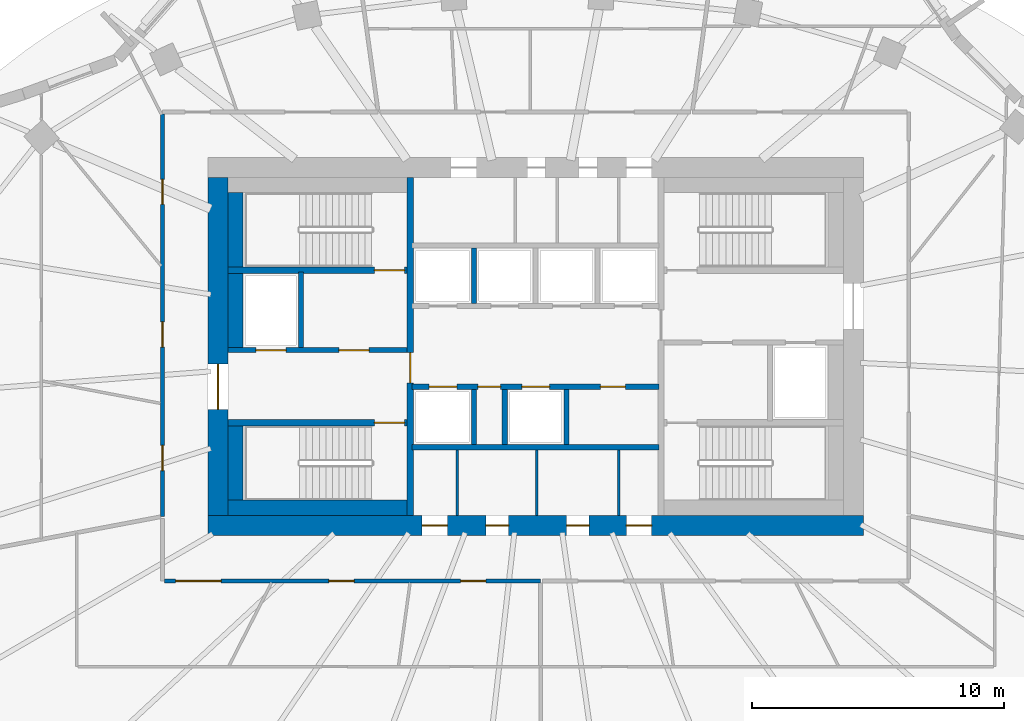
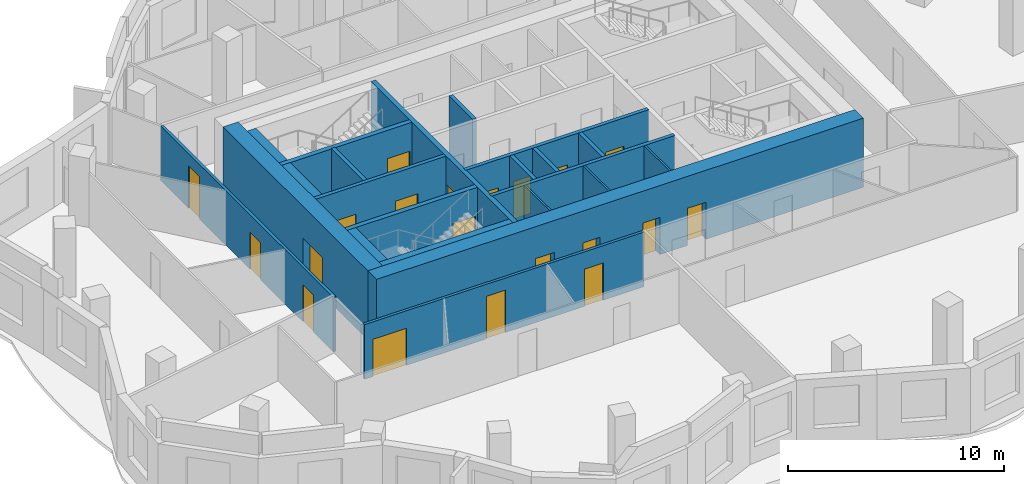
# One storey, part 4 of 9: 22 walls, 20 doors, 20 openings.
"""IFC4 building model written with IfcOpenShell, lengths in metres."""

from ifc_helpers import new_model, si_unit, direction, frame, frame_2d, origin, place, context, subcontext, project, spatial, rectangle, extrude, material, layer, layer_set, type_object, element, fill, save


model = new_model("IFC4")

# Units and contexts
model_context = context("Model", 3, precision=1e-05, world=origin(), true_north=direction((0.0, 1.0)))
body_context = subcontext(model_context, "Body", "Model", "MODEL_VIEW")
ifc_project = project(units=[si_unit("LENGTHUNIT", "METRE"), si_unit("AREAUNIT", "SQUARE_METRE"), si_unit("VOLUMEUNIT", "CUBIC_METRE"), si_unit("PLANEANGLEUNIT", "RADIAN"), si_unit("MASSUNIT", "GRAM", prefix="KILO")], contexts=[model_context])

# Site, building, storey
site_placement = place(None, origin())
site = spatial("IfcSite", under=ifc_project, at=site_placement, CompositionType="ELEMENT")
building_placement = place(site_placement, origin())
building = spatial("IfcBuilding", under=site, at=building_placement, Name="Rubra Terraces Tower", CompositionType="ELEMENT")
storey_placement = place(building_placement, frame((0.0, 0.0, 221.39990234375)))
storey = spatial("IfcBuildingStorey", under=building, at=storey_placement, Name="L54", CompositionType="ELEMENT", Elevation=221.39990234375)

# Wall, openings, doors
ifc_material_1 = material(Name="Concrete C50", Category="concrete")
ifc_layer_1 = layer(ifc_material_1, 0.800048828125)
ifc_layer_set_1 = layer_set([ifc_layer_1], Name="Concrete C50")
wall_type_1 = type_object("IfcWallType", Name="CORE WALL 800 C50", PredefinedType="SHEAR", material=ifc_layer_set_1)
wall_1_placement = place(storey_placement, frame((-13.0, -2.60009765625, 0.0), z_axis=(0.0, 0.0, 1.0), x_axis=(1.0, 0.0, 0.0)))
wall_1 = element("IfcWall", 1, at=wall_1_placement, inside=storey, type_object=wall_type_1, Name="CORE WALL S L54", PredefinedType="SHEAR", context=body_context, shape_type="SweptSolid", body=[
    extrude(rectangle(XDim=26.0, YDim=0.800048828125, at=frame_2d((13.0, 0.0))), origin(), (0.0, 0.0, 1.0), 3.900146484375),
])
opening_1_placement = place(wall_1_placement, frame((8.5, 0.0, 0.0)))
opening_1 = element("IfcOpeningElement", 2, at=opening_1_placement, cuts=wall_1, Name="Opening L54.C21", PredefinedType="OPENING", context=body_context, shape_type="SweptSolid", body=[
    extrude(rectangle(XDim=1.0, YDim=2.10009765625, at=frame_2d((0.5, 1.050048828125))), frame((0.0, 0.409912109375, 0.0), z_axis=(0.0, -1.0, 0.0), x_axis=(1.0, 0.0, 0.0)), (0.0, 0.0, 1.0), 0.820068359375),
])
opening_2_placement = place(wall_1_placement, frame((11.02490234375, 0.0, 0.0)))
opening_2 = element("IfcOpeningElement", 3, at=opening_2_placement, cuts=wall_1, Name="Opening L54.C22", PredefinedType="OPENING", context=body_context, shape_type="SweptSolid", body=[
    extrude(rectangle(XDim=0.89990234375, YDim=2.10009765625, at=frame_2d((0.449951171875, 1.050048828125))), frame((0.0, 0.409912109375, 0.0), z_axis=(0.0, -1.0, 0.0), x_axis=(1.0, 0.0, 0.0)), (0.0, 0.0, 1.0), 0.820068359375),
])
opening_3_placement = place(wall_1_placement, frame((14.22509765625, 0.0, 0.0)))
opening_3 = element("IfcOpeningElement", 4, at=opening_3_placement, cuts=wall_1, Name="Opening L54.C23", PredefinedType="OPENING", context=body_context, shape_type="SweptSolid", body=[
    extrude(rectangle(XDim=0.89990234375, YDim=2.10009765625, at=frame_2d((0.449951171875, 1.050048828125))), frame((0.0, 0.409912109375, 0.0), z_axis=(0.0, -1.0, 0.0), x_axis=(1.0, 0.0, 0.0)), (0.0, 0.0, 1.0), 0.820068359375),
])
opening_4_placement = place(wall_1_placement, frame((16.60009765625, 0.0, 0.0)))
opening_4 = element("IfcOpeningElement", 5, at=opening_4_placement, cuts=wall_1, Name="Opening L54.C24", PredefinedType="OPENING", context=body_context, shape_type="SweptSolid", body=[
    extrude(rectangle(XDim=1.0, YDim=2.10009765625, at=frame_2d((0.5, 1.050048828125))), frame((0.0, 0.409912109375, 0.0), z_axis=(0.0, -1.0, 0.0), x_axis=(1.0, 0.0, 0.0)), (0.0, 0.0, 1.0), 0.820068359375),
])
ifc_material_2 = material(Name="Painted steel", Category="steel")
door_type_1 = type_object("IfcDoorType", Name="Fire door 1000x2100 single", OperationType="NOTDEFINED", PredefinedType="DOOR", material=ifc_material_2)
door_1_placement = place(opening_1_placement, origin())
door_1 = element("IfcDoor", 6, at=door_1_placement, inside=storey, type_object=door_type_1, Name="Accessible WC door", OperationType="SINGLE_SWING_LEFT", OverallHeight=2.10009765625, OverallWidth=1.0, PredefinedType="DOOR", context=body_context, shape_type="SweptSolid", body=[
    extrude(rectangle(XDim=1.0, YDim=2.10009765625, at=frame_2d((0.5, 1.050048828125))), frame((0.0, 0.02490234375, 0.0), z_axis=(0.0, -1.0, 0.0), x_axis=(1.0, 0.0, 0.0)), (0.0, 0.0, 1.0), 0.050048828125),
])
fill(opening_1, door_1)
door_2_placement = place(opening_4_placement, origin())
door_2 = element("IfcDoor", 7, at=door_2_placement, inside=storey, type_object=door_type_1, Name="General store door", OperationType="SINGLE_SWING_RIGHT", OverallHeight=2.10009765625, OverallWidth=1.0, PredefinedType="DOOR", context=body_context, shape_type="SweptSolid", body=[
    extrude(rectangle(XDim=1.0, YDim=2.10009765625, at=frame_2d((0.5, 1.050048828125))), frame((0.0, 0.02490234375, 0.0), z_axis=(0.0, -1.0, 0.0), x_axis=(1.0, 0.0, 0.0)), (0.0, 0.0, 1.0), 0.050048828125),
])
fill(opening_4, door_2)
door_type_2 = type_object("IfcDoorType", Name="Fire door 900x2100 single", OperationType="NOTDEFINED", PredefinedType="DOOR", material=ifc_material_2)
door_3_placement = place(opening_2_placement, origin())
door_3 = element("IfcDoor", 8, at=door_3_placement, inside=storey, type_object=door_type_2, Name="Ladies WC door", OperationType="SINGLE_SWING_RIGHT", OverallHeight=2.10009765625, OverallWidth=0.89990234375, PredefinedType="DOOR", context=body_context, shape_type="SweptSolid", body=[
    extrude(rectangle(XDim=0.89990234375, YDim=2.10009765625, at=frame_2d((0.449951171875, 1.050048828125))), frame((0.0, 0.02490234375, 0.0), z_axis=(0.0, -1.0, 0.0), x_axis=(1.0, 0.0, 0.0)), (0.0, 0.0, 1.0), 0.050048828125),
])
fill(opening_2, door_3)
door_4_placement = place(opening_3_placement, origin())
door_4 = element("IfcDoor", 9, at=door_4_placement, inside=storey, type_object=door_type_2, Name="Gents WC door", OperationType="SINGLE_SWING_LEFT", OverallHeight=2.10009765625, OverallWidth=0.89990234375, PredefinedType="DOOR", context=body_context, shape_type="SweptSolid", body=[
    extrude(rectangle(XDim=0.89990234375, YDim=2.10009765625, at=frame_2d((0.449951171875, 1.050048828125))), frame((0.0, 0.02490234375, 0.0), z_axis=(0.0, -1.0, 0.0), x_axis=(1.0, 0.0, 0.0)), (0.0, 0.0, 1.0), 0.050048828125),
])
fill(opening_3, door_4)

# Wall, opening, door
wall_2_placement = place(storey_placement, frame((-12.60009765625, -2.199951171875, 0.0), z_axis=(0.0, 0.0, 1.0), x_axis=(0.0, 1.0, 0.0)))
wall_2 = element("IfcWall", 10, at=wall_2_placement, inside=storey, type_object=wall_type_1, Name="CORE WALL W L54", PredefinedType="SHEAR", context=body_context, shape_type="SweptSolid", body=[
    extrude(rectangle(XDim=13.39990234375, YDim=0.800048828125, at=frame_2d((6.699951171875, 0.0))), origin(), (0.0, 0.0, 1.0), 3.900146484375),
])
opening_5_placement = place(wall_2_placement, frame((4.199951171875, 0.0, 0.0)))
opening_5 = element("IfcOpeningElement", 11, at=opening_5_placement, cuts=wall_2, Name="Opening L54.C01", PredefinedType="OPENING", context=body_context, shape_type="SweptSolid", body=[
    extrude(rectangle(XDim=1.800048828125, YDim=2.10009765625, at=frame_2d((0.89990234375, 1.050048828125))), frame((0.0, 0.409912109375, 0.0), z_axis=(0.0, -1.0, 0.0), x_axis=(1.0, 0.0, 0.0)), (0.0, 0.0, 1.0), 0.820068359375),
])
door_type_3 = type_object("IfcDoorType", Name="Fire door 1800x2100 double", OperationType="NOTDEFINED", PredefinedType="DOOR", material=ifc_material_2)
door_5_placement = place(opening_5_placement, origin())
door_5 = element("IfcDoor", 12, at=door_5_placement, inside=storey, type_object=door_type_3, Name="Core entrance door FF1", OperationType="DOUBLE_DOOR_SINGLE_SWING", OverallHeight=2.10009765625, OverallWidth=1.800048828125, PredefinedType="DOOR", context=body_context, shape_type="SweptSolid", body=[
    extrude(rectangle(XDim=1.800048828125, YDim=2.10009765625, at=frame_2d((0.89990234375, 1.050048828125))), frame((0.0, 0.02490234375, 0.0), z_axis=(0.0, -1.0, 0.0), x_axis=(1.0, 0.0, 0.0)), (0.0, 0.0, 1.0), 0.050048828125),
])
fill(opening_5, door_5)

# Wall, openings, doors
ifc_material_3 = material(Name="Plasterboard on steel stud, mineral wool infill", Category="steel")
ifc_layer_2 = layer(ifc_material_3, 0.14990234375)
ifc_layer_set_2 = layer_set([ifc_layer_2], Name="Plasterboard on steel stud, mineral wool infill")
wall_type_2 = type_object("IfcWallType", Name="CORRIDOR PARTITION 150", PredefinedType="PARTITIONING", material=ifc_layer_set_2)
wall_3_placement = place(storey_placement, frame((-14.800048828125, 13.72509765625, 0.0), z_axis=(0.0, 0.0, 1.0), x_axis=(0.0, -1.0, 0.0)))
wall_3 = element("IfcWall", 13, at=wall_3_placement, inside=storey, type_object=wall_type_2, Name="PARTITION", PredefinedType="PARTITIONING", context=body_context, shape_type="SweptSolid", body=[
    extrude(rectangle(XDim=15.96826171875, YDim=0.14990234375, at=frame_2d((7.984130859375, 0.0))), origin(), (0.0, 0.0, 1.0), 3.083984375),
])
opening_6_placement = place(wall_3_placement, frame((2.595947265625, 0.0, 0.0)))
opening_6 = element("IfcOpeningElement", 14, at=opening_6_placement, cuts=wall_3, Name="Opening 54-103", PredefinedType="OPENING", context=body_context, shape_type="SweptSolid", body=[
    extrude(rectangle(XDim=1.0, YDim=2.39990234375, at=frame_2d((0.5, 1.199951171875))), frame((0.0, 0.0849609375, 0.0), z_axis=(0.0, -1.0, 0.0), x_axis=(1.0, 0.0, 0.0)), (0.0, 0.0, 1.0), 0.169921875),
])
opening_7_placement = place(wall_3_placement, frame((8.25, 0.0, 0.0)))
opening_7 = element("IfcOpeningElement", 15, at=opening_7_placement, cuts=wall_3, Name="Opening 54-122", PredefinedType="OPENING", context=body_context, shape_type="SweptSolid", body=[
    extrude(rectangle(XDim=1.0, YDim=2.10009765625, at=frame_2d((0.5, 1.050048828125))), frame((0.0, 0.0849609375, 0.0), z_axis=(0.0, -1.0, 0.0), x_axis=(1.0, 0.0, 0.0)), (0.0, 0.0, 1.0), 0.169921875),
])
opening_8_placement = place(wall_3_placement, frame((13.14990234375, 0.0, 0.0)))
opening_8 = element("IfcOpeningElement", 16, at=opening_8_placement, cuts=wall_3, Name="Opening 54-123", PredefinedType="OPENING", context=body_context, shape_type="SweptSolid", body=[
    extrude(rectangle(XDim=1.0, YDim=2.10009765625, at=frame_2d((0.5, 1.050048828125))), frame((0.0, 0.0849609375, 0.0), z_axis=(0.0, -1.0, 0.0), x_axis=(1.0, 0.0, 0.0)), (0.0, 0.0, 1.0), 0.169921875),
])
ifc_material_4 = material(Name="Glazed aluminium meeting door leaf", Category="aluminium")
door_type_4 = type_object("IfcDoorType", Name="MEETING ROOM GLAZED DOOR 1000 X 2400", OperationType="SINGLE_SWING_LEFT", PredefinedType="DOOR", material=ifc_material_4)
door_6_placement = place(opening_6_placement, origin())
door_6 = element("IfcDoor", 17, at=door_6_placement, inside=storey, type_object=door_type_4, Name="DOOR 54-103", OperationType="SINGLE_SWING_RIGHT", OverallHeight=2.39990234375, OverallWidth=1.0, PredefinedType="DOOR", context=body_context, shape_type="SweptSolid", body=[
    extrude(rectangle(XDim=1.0, YDim=2.39990234375, at=frame_2d((0.5, 1.199951171875))), frame((0.0, 0.02490234375, 0.0), z_axis=(0.0, -1.0, 0.0), x_axis=(1.0, 0.0, 0.0)), (0.0, 0.0, 1.0), 0.050048828125),
])
fill(opening_6, door_6)
ifc_material_5 = material(Name="Painted timber door leaf", Category="wood")
door_type_5 = type_object("IfcDoorType", Name="ROOM DOOR 1000 X 2100", OperationType="SINGLE_SWING_LEFT", PredefinedType="DOOR", material=ifc_material_5)
door_7_placement = place(opening_7_placement, origin())
door_7 = element("IfcDoor", 18, at=door_7_placement, inside=storey, type_object=door_type_5, Name="DOOR 54-122", OperationType="SINGLE_SWING_RIGHT", OverallHeight=2.10009765625, OverallWidth=1.0, PredefinedType="DOOR", context=body_context, shape_type="SweptSolid", body=[
    extrude(rectangle(XDim=1.0, YDim=2.10009765625, at=frame_2d((0.5, 1.050048828125))), frame((0.0, 0.02490234375, 0.0), z_axis=(0.0, -1.0, 0.0), x_axis=(1.0, 0.0, 0.0)), (0.0, 0.0, 1.0), 0.050048828125),
])
fill(opening_7, door_7)
door_8_placement = place(opening_8_placement, origin())
door_8 = element("IfcDoor", 19, at=door_8_placement, inside=storey, type_object=door_type_5, Name="DOOR 54-123", OperationType="SINGLE_SWING_RIGHT", OverallHeight=2.10009765625, OverallWidth=1.0, PredefinedType="DOOR", context=body_context, shape_type="SweptSolid", body=[
    extrude(rectangle(XDim=1.0, YDim=2.10009765625, at=frame_2d((0.5, 1.050048828125))), frame((0.0, 0.02490234375, 0.0), z_axis=(0.0, -1.0, 0.0), x_axis=(1.0, 0.0, 0.0)), (0.0, 0.0, 1.0), 0.050048828125),
])
fill(opening_8, door_8)

wall_4_placement = place(storey_placement, frame((-14.72509765625, -4.800048828125, 0.0), z_axis=(0.0, 0.0, 1.0), x_axis=(1.0, 0.0, 0.0)))
wall_4 = element("IfcWall", 20, at=wall_4_placement, inside=storey, type_object=wall_type_2, Name="PARTITION", PredefinedType="PARTITIONING", context=body_context, shape_type="SweptSolid", body=[
    extrude(rectangle(XDim=14.914794921875, YDim=0.14990234375, at=frame_2d((7.45751953125, 0.0))), origin(), (0.0, 0.0, 1.0), 3.083984375),
])
opening_9_placement = place(wall_4_placement, frame((0.449951171875, 0.0, 0.0)))
opening_9 = element("IfcOpeningElement", 21, at=opening_9_placement, cuts=wall_4, Name="Opening 54-106", PredefinedType="OPENING", context=body_context, shape_type="SweptSolid", body=[
    extrude(rectangle(XDim=1.800048828125, YDim=2.10009765625, at=frame_2d((0.89990234375, 1.050048828125))), frame((0.0, 0.0849609375, 0.0), z_axis=(0.0, -1.0, 0.0), x_axis=(1.0, 0.0, 0.0)), (0.0, 0.0, 1.0), 0.169921875),
])
opening_10_placement = place(wall_4_placement, frame((6.52197265625, 0.0, 0.0)))
opening_10 = element("IfcOpeningElement", 22, at=opening_10_placement, cuts=wall_4, Name="Opening 54-107", PredefinedType="OPENING", context=body_context, shape_type="SweptSolid", body=[
    extrude(rectangle(XDim=1.0, YDim=2.39990234375, at=frame_2d((0.5, 1.199951171875))), frame((0.0, 0.0849609375, 0.0), z_axis=(0.0, -1.0, 0.0), x_axis=(1.0, 0.0, 0.0)), (0.0, 0.0, 1.0), 0.169921875),
])
opening_11_placement = place(wall_4_placement, frame((11.75, 0.0, 0.0)))
opening_11 = element("IfcOpeningElement", 23, at=opening_11_placement, cuts=wall_4, Name="Opening 54-125", PredefinedType="OPENING", context=body_context, shape_type="SweptSolid", body=[
    extrude(rectangle(XDim=1.0, YDim=2.10009765625, at=frame_2d((0.5, 1.050048828125))), frame((0.0, 0.0849609375, 0.0), z_axis=(0.0, -1.0, 0.0), x_axis=(1.0, 0.0, 0.0)), (0.0, 0.0, 1.0), 0.169921875),
])
door_9_placement = place(opening_10_placement, origin())
door_9 = element("IfcDoor", 24, at=door_9_placement, inside=storey, type_object=door_type_4, Name="DOOR 54-107", OperationType="SINGLE_SWING_RIGHT", OverallHeight=2.39990234375, OverallWidth=1.0, PredefinedType="DOOR", context=body_context, shape_type="SweptSolid", body=[
    extrude(rectangle(XDim=1.0, YDim=2.39990234375, at=frame_2d((0.5, 1.199951171875))), frame((0.0, 0.02490234375, 0.0), z_axis=(0.0, -1.0, 0.0), x_axis=(1.0, 0.0, 0.0)), (0.0, 0.0, 1.0), 0.050048828125),
])
fill(opening_10, door_9)
door_10_placement = place(opening_11_placement, origin())
door_10 = element("IfcDoor", 25, at=door_10_placement, inside=storey, type_object=door_type_5, Name="DOOR 54-125", OperationType="SINGLE_SWING_RIGHT", OverallHeight=2.10009765625, OverallWidth=1.0, PredefinedType="DOOR", context=body_context, shape_type="SweptSolid", body=[
    extrude(rectangle(XDim=1.0, YDim=2.10009765625, at=frame_2d((0.5, 1.050048828125))), frame((0.0, 0.02490234375, 0.0), z_axis=(0.0, -1.0, 0.0), x_axis=(1.0, 0.0, 0.0)), (0.0, 0.0, 1.0), 0.050048828125),
])
fill(opening_11, door_10)
ifc_material_6 = material(Name="Painted timber door leaf, double", Category="wood")
door_type_6 = type_object("IfcDoorType", Name="ROOM DOUBLE DOOR 1800 X 2100", OperationType="DOUBLE_DOOR_SINGLE_SWING", PredefinedType="DOOR", material=ifc_material_6)
door_11_placement = place(opening_9_placement, origin())
door_11 = element("IfcDoor", 26, at=door_11_placement, inside=storey, type_object=door_type_6, Name="DOOR 54-106", OperationType="DOUBLE_DOOR_SINGLE_SWING", OverallHeight=2.10009765625, OverallWidth=1.800048828125, PredefinedType="DOOR", context=body_context, shape_type="SweptSolid", body=[
    extrude(rectangle(XDim=1.800048828125, YDim=2.10009765625, at=frame_2d((0.89990234375, 1.050048828125))), frame((0.0, 0.02490234375, 0.0), z_axis=(0.0, -1.0, 0.0), x_axis=(1.0, 0.0, 0.0)), (0.0, 0.0, 1.0), 0.050048828125),
])
fill(opening_9, door_11)

# Walls
ifc_material_7 = material(Name="Concrete C40", Category="concrete")
ifc_layer_3 = layer(ifc_material_7, 0.60009765625)
ifc_layer_set_3 = layer_set([ifc_layer_3], Name="Concrete C40")
wall_type_3 = type_object("IfcWallType", Name="Core lining wall 600 concrete", PredefinedType="SOLIDWALL", material=ifc_layer_set_3)
wall_5_placement = place(storey_placement, frame((-12.199951171875, -1.89990234375, 0.0), z_axis=(0.0, 0.0, 1.0), x_axis=(1.0, 0.0, 0.0)))
element("IfcWall", 27, at=wall_5_placement, inside=storey, type_object=wall_type_3, Name="CORE LINING WALL L54", PredefinedType="SOLIDWALL", context=body_context, shape_type="SweptSolid", body=[
    extrude(rectangle(XDim=7.099853515625, YDim=0.60009765625, at=frame_2d((3.5498046875, 0.0))), origin(), (0.0, 0.0, 1.0), 3.7001953125),
])
wall_6_placement = place(storey_placement, frame((-11.89990234375, -1.60009765625, 0.0), z_axis=(0.0, 0.0, 1.0), x_axis=(0.0, 1.0, 0.0)))
element("IfcWall", 28, at=wall_6_placement, inside=storey, type_object=wall_type_3, Name="CORE LINING WALL L54", PredefinedType="SOLIDWALL", context=body_context, shape_type="SweptSolid", body=[
    extrude(rectangle(XDim=2.9501953125, YDim=0.60009765625, at=frame_2d((1.47509765625, 0.0))), origin(), (0.0, 0.0, 1.0), 3.7001953125),
])
wall_7_placement = place(storey_placement, frame((-11.89990234375, 4.449951171875, 0.0), z_axis=(0.0, 0.0, 1.0), x_axis=(0.0, 1.0, 0.0)))
element("IfcWall", 29, at=wall_7_placement, inside=storey, type_object=wall_type_3, Name="CORE LINING WALL L54", PredefinedType="SOLIDWALL", context=body_context, shape_type="SweptSolid", body=[
    extrude(rectangle(XDim=3.0, YDim=0.60009765625, at=frame_2d((1.5, 0.0))), origin(), (0.0, 0.0, 1.0), 3.7001953125),
])
wall_8_placement = place(storey_placement, frame((-11.89990234375, 7.64990234375, 0.0), z_axis=(0.0, 0.0, 1.0), x_axis=(0.0, 1.0, 0.0)))
element("IfcWall", 30, at=wall_8_placement, inside=storey, type_object=wall_type_3, Name="CORE LINING WALL L54", PredefinedType="SOLIDWALL", context=body_context, shape_type="SweptSolid", body=[
    extrude(rectangle(XDim=2.9501953125, YDim=0.60009765625, at=frame_2d((1.47509765625, 0.0))), origin(), (0.0, 0.0, 1.0), 3.7001953125),
])

# Wall, openings, doors
ifc_material_8 = material(Name="Concrete C30", Category="concrete")
ifc_layer_4 = layer(ifc_material_8, 0.199951171875)
ifc_layer_set_4 = layer_set([ifc_layer_4], Name="Concrete C30")
wall_type_4 = type_object("IfcWallType", Name="Core wall 200 concrete", PredefinedType="SOLIDWALL", material=ifc_layer_set_4)
wall_9_placement = place(storey_placement, frame((-12.199951171875, 4.35009765625, 0.0), z_axis=(0.0, 0.0, 1.0), x_axis=(1.0, 0.0, 0.0)))
wall_9 = element("IfcWall", 31, at=wall_9_placement, inside=storey, type_object=wall_type_4, Name="STAIR WALL L54", PredefinedType="SOLIDWALL", context=body_context, shape_type="SweptSolid", body=[
    extrude(rectangle(XDim=7.099853515625, YDim=0.199951171875, at=frame_2d((3.5498046875, 0.0))), origin(), (0.0, 0.0, 1.0), 3.7001953125),
])
opening_12_placement = place(wall_9_placement, frame((4.39990234375, 0.0, 0.0)))
opening_12 = element("IfcOpeningElement", 32, at=opening_12_placement, cuts=wall_9, Name="Opening L54.C05", PredefinedType="OPENING", context=body_context, shape_type="SweptSolid", body=[
    extrude(rectangle(XDim=1.199951171875, YDim=2.10009765625, at=frame_2d((0.60009765625, 1.050048828125))), frame((0.0, 0.10986328125, 0.0), z_axis=(0.0, -1.0, 0.0), x_axis=(1.0, 0.0, 0.0)), (0.0, 0.0, 1.0), 0.219970703125),
])
opening_13_placement = place(wall_9_placement, frame((1.10009765625, 0.0, 0.0)))
opening_13 = element("IfcOpeningElement", 33, at=opening_13_placement, cuts=wall_9, Name="Opening L54.C11", PredefinedType="OPENING", context=body_context, shape_type="SweptSolid", body=[
    extrude(rectangle(XDim=1.199951171875, YDim=2.10009765625, at=frame_2d((0.60009765625, 1.050048828125))), frame((0.0, 0.10986328125, 0.0), z_axis=(0.0, -1.0, 0.0), x_axis=(1.0, 0.0, 0.0)), (0.0, 0.0, 1.0), 0.219970703125),
])
door_type_7 = type_object("IfcDoorType", Name="Fire door 1200x2100 single", OperationType="NOTDEFINED", PredefinedType="DOOR", material=ifc_material_2)
door_12_placement = place(opening_12_placement, origin())
door_12 = element("IfcDoor", 34, at=door_12_placement, inside=storey, type_object=door_type_7, Name="Stair vestibule door S2", OperationType="SINGLE_SWING_LEFT", OverallHeight=2.10009765625, OverallWidth=1.199951171875, PredefinedType="DOOR", context=body_context, shape_type="SweptSolid", body=[
    extrude(rectangle(XDim=1.199951171875, YDim=2.10009765625, at=frame_2d((0.60009765625, 1.050048828125))), frame((0.0, 0.02490234375, 0.0), z_axis=(0.0, -1.0, 0.0), x_axis=(1.0, 0.0, 0.0)), (0.0, 0.0, 1.0), 0.050048828125),
])
fill(opening_12, door_12)
ifc_material_9 = material(Name="Stainless steel", Category="steel")
door_type_8 = type_object("IfcDoorType", Name="Lift landing door 1200x2100", OperationType="NOTDEFINED", PredefinedType="DOOR", material=ifc_material_9)
door_13_placement = place(opening_13_placement, origin())
door_13 = element("IfcDoor", 35, at=door_13_placement, inside=storey, type_object=door_type_8, Name="Landing door FF1", OperationType="SLIDING_TO_RIGHT", OverallHeight=2.10009765625, OverallWidth=1.199951171875, PredefinedType="DOOR", context=body_context, shape_type="SweptSolid", body=[
    extrude(rectangle(XDim=1.199951171875, YDim=2.10009765625, at=frame_2d((0.60009765625, 1.050048828125))), frame((0.0, 0.02490234375, 0.0), z_axis=(0.0, -1.0, 0.0), x_axis=(1.0, 0.0, 0.0)), (0.0, 0.0, 1.0), 0.050048828125),
])
fill(opening_13, door_13)

# Walls
wall_10_placement = place(storey_placement, frame((-9.300048828125, 4.449951171875, 0.0), z_axis=(0.0, 0.0, 1.0), x_axis=(0.0, 1.0, 0.0)))
element("IfcWall", 36, at=wall_10_placement, inside=storey, type_object=wall_type_4, Name="STAIR WALL L54", PredefinedType="SOLIDWALL", context=body_context, shape_type="SweptSolid", body=[
    extrude(rectangle(XDim=3.0, YDim=0.199951171875, at=frame_2d((1.5, 0.0))), origin(), (0.0, 0.0, 1.0), 3.7001953125),
])
wall_11_placement = place(storey_placement, frame((-4.89990234375, 0.5, 0.0), z_axis=(0.0, 0.0, 1.0), x_axis=(1.0, 0.0, 0.0)))
element("IfcWall", 37, at=wall_11_placement, inside=storey, type_object=wall_type_4, Name="LIFT SHAFT WALL L54", PredefinedType="SOLIDWALL", context=body_context, shape_type="SweptSolid", body=[
    extrude(rectangle(XDim=9.7998046875, YDim=0.199951171875, at=frame_2d((4.89990234375, 0.0))), origin(), (0.0, 0.0, 1.0), 3.7001953125),
])

# Wall, openings, doors
wall_12_placement = place(storey_placement, frame((-4.89990234375, 2.89990234375, 0.0), z_axis=(0.0, 0.0, 1.0), x_axis=(1.0, 0.0, 0.0)))
wall_12 = element("IfcWall", 38, at=wall_12_placement, inside=storey, type_object=wall_type_4, Name="LIFT SHAFT WALL L54", PredefinedType="SOLIDWALL", context=body_context, shape_type="SweptSolid", body=[
    extrude(rectangle(XDim=9.7998046875, YDim=0.199951171875, at=frame_2d((4.89990234375, 0.0))), origin(), (0.0, 0.0, 1.0), 3.7001953125),
])
opening_14_placement = place(wall_12_placement, frame((0.675048828125, 0.0, 0.0)))
opening_14 = element("IfcOpeningElement", 39, at=opening_14_placement, cuts=wall_12, Name="Opening L54.C13", PredefinedType="OPENING", context=body_context, shape_type="SweptSolid", body=[
    extrude(rectangle(XDim=1.10009765625, YDim=2.10009765625, at=frame_2d((0.550048828125, 1.050048828125))), frame((0.0, 0.10986328125, 0.0), z_axis=(0.0, -1.0, 0.0), x_axis=(1.0, 0.0, 0.0)), (0.0, 0.0, 1.0), 0.219970703125),
])
opening_15_placement = place(wall_12_placement, frame((2.613037109375, 0.0, 0.0)))
opening_15 = element("IfcOpeningElement", 40, at=opening_15_placement, cuts=wall_12, Name="Opening L54.C14", PredefinedType="OPENING", context=body_context, shape_type="SweptSolid", body=[
    extrude(rectangle(XDim=0.89990234375, YDim=2.10009765625, at=frame_2d((0.449951171875, 1.050048828125))), frame((0.0, 0.10986328125, 0.0), z_axis=(0.0, -1.0, 0.0), x_axis=(1.0, 0.0, 0.0)), (0.0, 0.0, 1.0), 0.219970703125),
])
opening_16_placement = place(wall_12_placement, frame((4.35009765625, 0.0, 0.0)))
opening_16 = element("IfcOpeningElement", 41, at=opening_16_placement, cuts=wall_12, Name="Opening L54.C15", PredefinedType="OPENING", context=body_context, shape_type="SweptSolid", body=[
    extrude(rectangle(XDim=1.10009765625, YDim=2.10009765625, at=frame_2d((0.550048828125, 1.050048828125))), frame((0.0, 0.10986328125, 0.0), z_axis=(0.0, -1.0, 0.0), x_axis=(1.0, 0.0, 0.0)), (0.0, 0.0, 1.0), 0.219970703125),
])
opening_17_placement = place(wall_12_placement, frame((7.462890625, 0.0, 0.0)))
opening_17 = element("IfcOpeningElement", 42, at=opening_17_placement, cuts=wall_12, Name="Opening L54.C16", PredefinedType="OPENING", context=body_context, shape_type="SweptSolid", body=[
    extrude(rectangle(XDim=1.0, YDim=2.10009765625, at=frame_2d((0.5, 1.050048828125))), frame((0.0, 0.10986328125, 0.0), z_axis=(0.0, -1.0, 0.0), x_axis=(1.0, 0.0, 0.0)), (0.0, 0.0, 1.0), 0.219970703125),
])
door_14_placement = place(opening_17_placement, origin())
door_14 = element("IfcDoor", 43, at=door_14_placement, inside=storey, type_object=door_type_1, Name="Linen store door", OperationType="SINGLE_SWING_RIGHT", OverallHeight=2.10009765625, OverallWidth=1.0, PredefinedType="DOOR", context=body_context, shape_type="SweptSolid", body=[
    extrude(rectangle(XDim=1.0, YDim=2.10009765625, at=frame_2d((0.5, 1.050048828125))), frame((0.0, 0.02490234375, 0.0), z_axis=(0.0, -1.0, 0.0), x_axis=(1.0, 0.0, 0.0)), (0.0, 0.0, 1.0), 0.050048828125),
])
fill(opening_17, door_14)
door_15_placement = place(opening_15_placement, origin())
door_15 = element("IfcDoor", 44, at=door_15_placement, inside=storey, type_object=door_type_2, Name="Cleaner's store door", OperationType="SINGLE_SWING_RIGHT", OverallHeight=2.10009765625, OverallWidth=0.89990234375, PredefinedType="DOOR", context=body_context, shape_type="SweptSolid", body=[
    extrude(rectangle(XDim=0.89990234375, YDim=2.10009765625, at=frame_2d((0.449951171875, 1.050048828125))), frame((0.0, 0.02490234375, 0.0), z_axis=(0.0, -1.0, 0.0), x_axis=(1.0, 0.0, 0.0)), (0.0, 0.0, 1.0), 0.050048828125),
])
fill(opening_15, door_15)
door_type_9 = type_object("IfcDoorType", Name="Lift landing door 1100x2100", OperationType="NOTDEFINED", PredefinedType="DOOR", material=ifc_material_9)
door_16_placement = place(opening_14_placement, origin())
door_16 = element("IfcDoor", 45, at=door_16_placement, inside=storey, type_object=door_type_9, Name="Landing door HB1", OperationType="SLIDING_TO_RIGHT", OverallHeight=2.10009765625, OverallWidth=1.10009765625, PredefinedType="DOOR", context=body_context, shape_type="SweptSolid", body=[
    extrude(rectangle(XDim=1.10009765625, YDim=2.10009765625, at=frame_2d((0.550048828125, 1.050048828125))), frame((0.0, 0.02490234375, 0.0), z_axis=(0.0, -1.0, 0.0), x_axis=(1.0, 0.0, 0.0)), (0.0, 0.0, 1.0), 0.050048828125),
])
fill(opening_14, door_16)
door_17_placement = place(opening_16_placement, origin())
door_17 = element("IfcDoor", 46, at=door_17_placement, inside=storey, type_object=door_type_9, Name="Landing door HB2", OperationType="SLIDING_TO_LEFT", OverallHeight=2.10009765625, OverallWidth=1.10009765625, PredefinedType="DOOR", context=body_context, shape_type="SweptSolid", body=[
    extrude(rectangle(XDim=1.10009765625, YDim=2.10009765625, at=frame_2d((0.550048828125, 1.050048828125))), frame((0.0, 0.02490234375, 0.0), z_axis=(0.0, -1.0, 0.0), x_axis=(1.0, 0.0, 0.0)), (0.0, 0.0, 1.0), 0.050048828125),
])
fill(opening_16, door_17)

# Walls
for number, where, z_axis, x_axis, name in (
    (47, (-2.449951171875, 0.60009765625, 0.0), (0.0, 0.0, 1.0), (0.0, 1.0, 0.0), "LIFT SHAFT WALL L54"),
    (48, (-1.22509765625, 0.60009765625, 0.0), (0.0, 0.0, 1.0), (0.0, 1.0, 0.0), "LIFT SHAFT WALL L54"),
    (49, (1.22509765625, 0.60009765625, 0.0), (0.0, 0.0, 1.0), (0.0, 1.0, 0.0), "LIFT SHAFT WALL L54"),
    (50, (-2.449951171875, 6.199951171875, 0.0), (0.0, 0.0, 1.0), (0.0, 1.0, 0.0), "LIFT SHAFT WALL L54"),
):
    element("IfcWall", number, at=place(storey_placement, frame(where, z_axis=z_axis, x_axis=x_axis)), inside=storey, type_object=wall_type_4, Name=name, PredefinedType="SOLIDWALL", context=body_context, shape_type="SweptSolid", body=[
        extrude(rectangle(XDim=2.199951171875, YDim=0.199951171875, at=frame_2d((1.10009765625, 0.0))), origin(), (0.0, 0.0, 1.0), 3.7001953125),
    ])
ifc_material_10 = material(Name="Blockwork", Category="masonry")
ifc_layer_5 = layer(ifc_material_10, 0.10009765625)
ifc_layer_set_5 = layer_set([ifc_layer_5], Name="Blockwork")
wall_type_5 = type_object("IfcWallType", Name="Service partition 100 blockwork", PredefinedType="PARTITIONING", material=ifc_layer_set_5)
for number, where, z_axis, x_axis, name in (
    (51, (-3.10009765625, -2.199951171875, 0.0), (0.0, 0.0, 1.0), (0.0, 1.0, 0.0), "SERVICE ROOM PARTITION L54"),
    (52, (0.050048828125, -2.199951171875, 0.0), (0.0, 0.0, 1.0), (0.0, 1.0, 0.0), "SERVICE ROOM PARTITION L54"),
    (53, (3.300048828125, -2.199951171875, 0.0), (0.0, 0.0, 1.0), (0.0, 1.0, 0.0), "SERVICE ROOM PARTITION L54"),
):
    element("IfcWall", number, at=place(storey_placement, frame(where, z_axis=z_axis, x_axis=x_axis)), inside=storey, type_object=wall_type_5, Name=name, PredefinedType="PARTITIONING", context=body_context, shape_type="SweptSolid", body=[
        extrude(rectangle(XDim=2.599853515625, YDim=0.10009765625, at=frame_2d((1.2998046875, 0.0))), origin(), (0.0, 0.0, 1.0), 3.7001953125),
    ])

# Wall, opening, door
ifc_layer_6 = layer(ifc_material_7, 0.25)
ifc_layer_set_6 = layer_set([ifc_layer_6], Name="Concrete C40")
wall_type_6 = type_object("IfcWallType", Name="Stair enclosure wall 250 concrete", PredefinedType="SOLIDWALL", material=ifc_layer_set_6)
wall_13_placement = place(storey_placement, frame((-12.199951171875, 1.47509765625, 0.0), z_axis=(0.0, 0.0, 1.0), x_axis=(1.0, 0.0, 0.0)))
wall_13 = element("IfcWall", 54, at=wall_13_placement, inside=storey, type_object=wall_type_6, Name="STAIR WALL L54", PredefinedType="SOLIDWALL", context=body_context, shape_type="SweptSolid", body=[
    extrude(rectangle(XDim=7.099853515625, YDim=0.25, at=frame_2d((3.5498046875, 0.0))), origin(), (0.0, 0.0, 1.0), 3.7001953125),
])
opening_18_placement = place(wall_13_placement, frame((5.800048828125, 0.0, 0.0)))
opening_18 = element("IfcOpeningElement", 55, at=opening_18_placement, cuts=wall_13, Name="Opening L54.C07", PredefinedType="OPENING", context=body_context, shape_type="SweptSolid", body=[
    extrude(rectangle(XDim=1.199951171875, YDim=2.10009765625, at=frame_2d((0.60009765625, 1.050048828125))), frame((0.0, 0.135009765625, 0.0), z_axis=(0.0, -1.0, 0.0), x_axis=(1.0, 0.0, 0.0)), (0.0, 0.0, 1.0), 0.27001953125),
])
door_18_placement = place(opening_18_placement, origin())
door_18 = element("IfcDoor", 56, at=door_18_placement, inside=storey, type_object=door_type_7, Name="Stair door S1", OperationType="SINGLE_SWING_LEFT", OverallHeight=2.10009765625, OverallWidth=1.199951171875, PredefinedType="DOOR", context=body_context, shape_type="SweptSolid", body=[
    extrude(rectangle(XDim=1.199951171875, YDim=2.10009765625, at=frame_2d((0.60009765625, 1.050048828125))), frame((0.0, 0.02490234375, 0.0), z_axis=(0.0, -1.0, 0.0), x_axis=(1.0, 0.0, 0.0)), (0.0, 0.0, 1.0), 0.050048828125),
])
fill(opening_18, door_18)

wall_14_placement = place(storey_placement, frame((-12.199951171875, 7.52490234375, 0.0), z_axis=(0.0, 0.0, 1.0), x_axis=(1.0, 0.0, 0.0)))
wall_14 = element("IfcWall", 57, at=wall_14_placement, inside=storey, type_object=wall_type_6, Name="STAIR WALL L54", PredefinedType="SOLIDWALL", context=body_context, shape_type="SweptSolid", body=[
    extrude(rectangle(XDim=7.099853515625, YDim=0.25, at=frame_2d((3.5498046875, 0.0))), origin(), (0.0, 0.0, 1.0), 3.7001953125),
])
opening_19_placement = place(wall_14_placement, frame((5.800048828125, 0.0, 0.0)))
opening_19 = element("IfcOpeningElement", 58, at=opening_19_placement, cuts=wall_14, Name="Opening L54.C09", PredefinedType="OPENING", context=body_context, shape_type="SweptSolid", body=[
    extrude(rectangle(XDim=1.199951171875, YDim=2.10009765625, at=frame_2d((0.60009765625, 1.050048828125))), frame((0.0, 0.135009765625, 0.0), z_axis=(0.0, -1.0, 0.0), x_axis=(1.0, 0.0, 0.0)), (0.0, 0.0, 1.0), 0.27001953125),
])
door_19_placement = place(opening_19_placement, origin())
door_19 = element("IfcDoor", 59, at=door_19_placement, inside=storey, type_object=door_type_7, Name="Stair door S2", OperationType="SINGLE_SWING_LEFT", OverallHeight=2.10009765625, OverallWidth=1.199951171875, PredefinedType="DOOR", context=body_context, shape_type="SweptSolid", body=[
    extrude(rectangle(XDim=1.199951171875, YDim=2.10009765625, at=frame_2d((0.60009765625, 1.050048828125))), frame((0.0, 0.02490234375, 0.0), z_axis=(0.0, -1.0, 0.0), x_axis=(1.0, 0.0, 0.0)), (0.0, 0.0, 1.0), 0.050048828125),
])
fill(opening_19, door_19)

wall_15_placement = place(storey_placement, frame((-4.97509765625, -2.199951171875, 0.0), z_axis=(0.0, 0.0, 1.0), x_axis=(0.0, 1.0, 0.0)))
wall_15 = element("IfcWall", 60, at=wall_15_placement, inside=storey, type_object=wall_type_6, Name="CORE LOBBY WALL L54", PredefinedType="SOLIDWALL", context=body_context, shape_type="SweptSolid", body=[
    extrude(rectangle(XDim=13.39990234375, YDim=0.25, at=frame_2d((6.699951171875, 0.0))), origin(), (0.0, 0.0, 1.0), 3.7001953125),
])
opening_20_placement = place(wall_15_placement, frame((5.25, 0.0, 0.0)))
opening_20 = element("IfcOpeningElement", 61, at=opening_20_placement, cuts=wall_15, Name="Opening L54.C03", PredefinedType="OPENING", context=body_context, shape_type="SweptSolid", body=[
    extrude(rectangle(XDim=1.199951171875, YDim=2.10009765625, at=frame_2d((0.60009765625, 1.050048828125))), frame((0.0, 0.135009765625, 0.0), z_axis=(0.0, -1.0, 0.0), x_axis=(1.0, 0.0, 0.0)), (0.0, 0.0, 1.0), 0.27001953125),
])
door_20_placement = place(opening_20_placement, origin())
door_20 = element("IfcDoor", 62, at=door_20_placement, inside=storey, type_object=door_type_7, Name="Firefighting lobby door FF1", OperationType="SINGLE_SWING_LEFT", OverallHeight=2.10009765625, OverallWidth=1.199951171875, PredefinedType="DOOR", context=body_context, shape_type="SweptSolid", body=[
    extrude(rectangle(XDim=1.199951171875, YDim=2.10009765625, at=frame_2d((0.60009765625, 1.050048828125))), frame((0.0, 0.02490234375, 0.0), z_axis=(0.0, -1.0, 0.0), x_axis=(1.0, 0.0, 0.0)), (0.0, 0.0, 1.0), 0.050048828125),
])
fill(opening_20, door_20)

save(model, "model.ifc")
